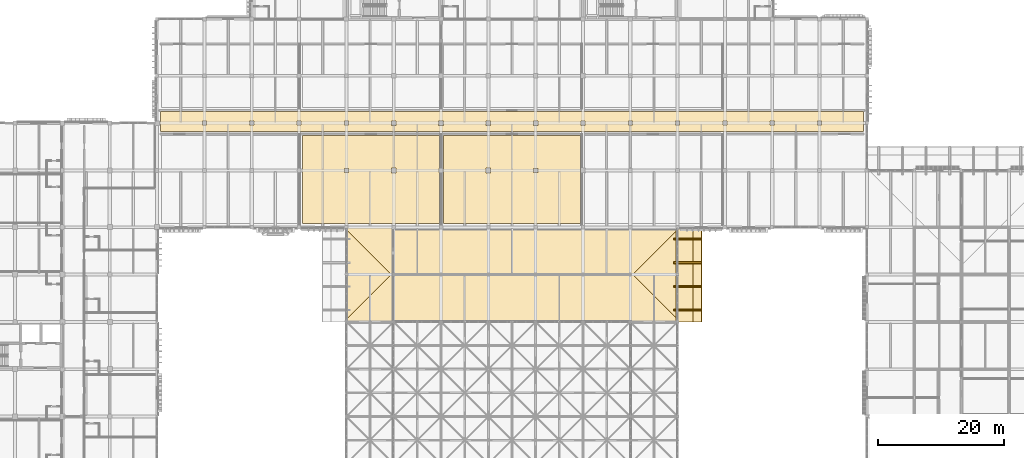
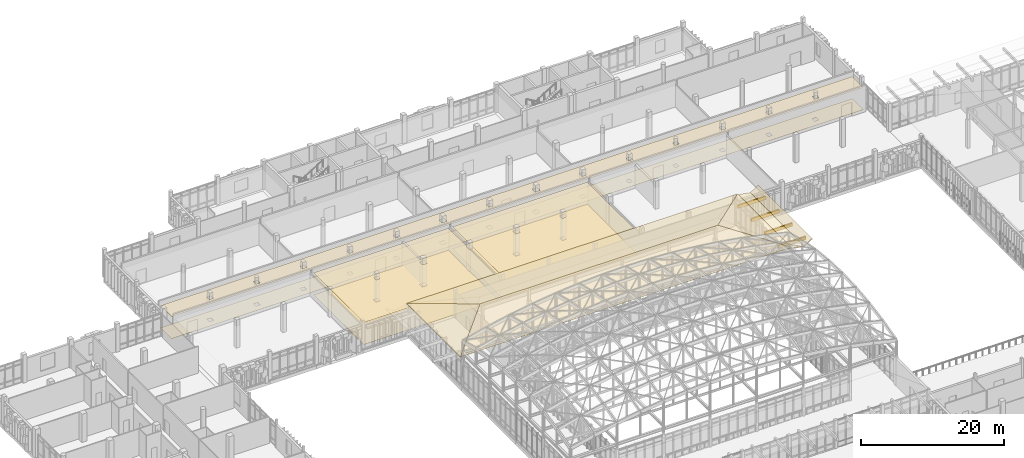
# One storey, part 122 of 131: 16 coverings.
"""IFC4 building model written with IfcOpenShell, lengths in metres."""

from ifc_helpers import new_model, si_unit, direction, frame, origin, origin_2d, place, context, subcontext, project, spatial, polyline, rectangle, outline, extrude, material, layer, layer_set, type_object, element, save


model = new_model("IFC4")

# Units and contexts
model_context = context("Model", 3, precision=1e-05, world=origin(), true_north=direction((0.0, 1.0)))
body_context = subcontext(model_context, "Body", "Model", "MODEL_VIEW")
ifc_project = project(units=[si_unit("LENGTHUNIT", "METRE"), si_unit("AREAUNIT", "SQUARE_METRE"), si_unit("VOLUMEUNIT", "CUBIC_METRE"), si_unit("PLANEANGLEUNIT", "RADIAN"), si_unit("MASSUNIT", "GRAM", prefix="KILO")], contexts=[model_context])

# Site, building, storey
site_placement = place(None, origin())
site = spatial("IfcSite", under=ifc_project, at=site_placement, CompositionType="ELEMENT")
building_placement = place(site_placement, origin())
building = spatial("IfcBuilding", under=site, at=building_placement, Name="Dalvernix Boulevard General Hospital", CompositionType="ELEMENT")
storey_placement = place(building_placement, frame((0.0, 0.0, 9.300048828125)))
storey = spatial("IfcBuildingStorey", under=building, at=storey_placement, Name="L02", CompositionType="ELEMENT", Elevation=9.300048828125)

# Coverings
ifc_material_1 = material(Name="Antimicrobial acoustic mineral-fibre suspended ceiling")
ifc_layer_1 = layer(ifc_material_1, 0.02490234375)
ifc_layer_set_1 = layer_set([ifc_layer_1], Name="Antimicrobial acoustic mineral-fibre suspended ceiling (COV-CEIL-01)")
covering_type_1 = type_object("IfcCoveringType", Name="COV-CEIL-01", PredefinedType="CEILING", material=ifc_layer_set_1)
covering_1_placement = place(storey_placement, frame((0.0, 0.0, 3.7548828125)))
element("IfcCovering", 1, at=covering_1_placement, inside=storey, type_object=covering_type_1, Name="L02 Sterile Surgical Preparation and Scrub Core hygienic suspended ceiling", PredefinedType="CEILING", context=body_context, shape_type="SweptSolid", body=[
    extrude(outline(polyline([(30.550048828125, 94.800048828125), (141.949951171875, 94.800048828125), (141.949951171875, 91.699951171875), (30.550048828125, 91.699951171875), (30.550048828125, 94.800048828125)]), holes=[polyline([(37.179931640625, 93.320068359375), (37.179931640625, 92.679931640625), (37.820068359375, 92.679931640625), (37.820068359375, 93.320068359375), (37.179931640625, 93.320068359375)]), polyline([(45.320068359375, 93.320068359375), (44.679931640625, 93.320068359375), (44.679931640625, 92.679931640625), (45.320068359375, 92.679931640625), (45.320068359375, 93.320068359375)]), polyline([(52.820068359375, 92.679931640625), (52.820068359375, 93.320068359375), (52.179931640625, 93.320068359375), (52.179931640625, 92.679931640625), (52.820068359375, 92.679931640625)]), polyline([(59.679931640625, 92.679931640625), (60.320068359375, 92.679931640625), (60.320068359375, 93.320068359375), (59.679931640625, 93.320068359375), (59.679931640625, 92.679931640625)]), polyline([(67.155029296875, 93.344970703125), (67.155029296875, 92.655029296875), (67.844970703125, 92.655029296875), (67.844970703125, 93.344970703125), (67.155029296875, 93.344970703125)]), polyline([(75.3701171875, 93.3701171875), (74.6298828125, 93.3701171875), (74.6298828125, 92.6298828125), (75.3701171875, 92.6298828125), (75.3701171875, 93.3701171875)]), polyline([(82.844970703125, 92.655029296875), (82.844970703125, 93.344970703125), (82.155029296875, 93.344970703125), (82.155029296875, 92.655029296875), (82.844970703125, 92.655029296875)]), polyline([(89.6298828125, 92.6298828125), (90.3701171875, 92.6298828125), (90.3701171875, 93.3701171875), (89.6298828125, 93.3701171875), (89.6298828125, 92.6298828125)]), polyline([(97.155029296875, 93.344970703125), (97.155029296875, 92.655029296875), (97.844970703125, 92.655029296875), (97.844970703125, 93.344970703125), (97.155029296875, 93.344970703125)]), polyline([(105.320068359375, 93.320068359375), (104.679931640625, 93.320068359375), (104.679931640625, 92.679931640625), (105.320068359375, 92.679931640625), (105.320068359375, 93.320068359375)]), polyline([(112.820068359375, 92.679931640625), (112.820068359375, 93.320068359375), (112.179931640625, 93.320068359375), (112.179931640625, 92.679931640625), (112.820068359375, 92.679931640625)]), polyline([(119.679931640625, 92.679931640625), (120.320068359375, 92.679931640625), (120.320068359375, 93.320068359375), (119.679931640625, 93.320068359375), (119.679931640625, 92.679931640625)]), polyline([(127.179931640625, 93.320068359375), (127.179931640625, 92.679931640625), (127.820068359375, 92.679931640625), (127.820068359375, 93.320068359375), (127.179931640625, 93.320068359375)]), polyline([(135.320068359375, 93.320068359375), (134.679931640625, 93.320068359375), (134.679931640625, 92.679931640625), (135.320068359375, 92.679931640625), (135.320068359375, 93.320068359375)])]), origin(), (0.0, 0.0, 1.0), 0.025146484375),
])
covering_2_placement = place(storey_placement, frame((0.0, 0.0, 3.7548828125)))
element("IfcCovering", 2, at=covering_2_placement, inside=storey, type_object=covering_type_1, Name="L02 Operating Theatre 07 hygienic suspended ceiling", PredefinedType="CEILING", context=body_context, shape_type="SweptSolid", body=[
    extrude(outline(polyline([(74.75, 91.050048828125), (74.75, 85.844970703125), (74.655029296875, 85.844970703125), (74.655029296875, 85.155029296875), (74.75, 85.155029296875), (74.75, 77.050048828125), (53.030029296875, 77.050048828125), (53.030029296875, 91.050048828125), (74.75, 91.050048828125)]), holes=[polyline([(59.679931640625, 85.179931640625), (60.320068359375, 85.179931640625), (60.320068359375, 85.820068359375), (59.679931640625, 85.820068359375), (59.679931640625, 85.179931640625)]), polyline([(67.1298828125, 85.8701171875), (67.1298828125, 85.1298828125), (67.8701171875, 85.1298828125), (67.8701171875, 85.8701171875), (67.1298828125, 85.8701171875)])]), origin(), (0.0, 0.0, 1.0), 0.025146484375),
])
covering_3_placement = place(storey_placement, frame((0.0, 0.0, 3.7548828125)))
element("IfcCovering", 3, at=covering_3_placement, inside=storey, type_object=covering_type_1, Name="L02 Operating Theatre 08 hygienic suspended ceiling", PredefinedType="CEILING", context=body_context, shape_type="SweptSolid", body=[
    extrude(outline(polyline([(97.110107421875, 91.050048828125), (97.110107421875, 77.050048828125), (75.389892578125, 77.050048828125), (75.389892578125, 91.050048828125), (97.110107421875, 91.050048828125)]), holes=[polyline([(82.1298828125, 85.1298828125), (82.8701171875, 85.1298828125), (82.8701171875, 85.8701171875), (82.1298828125, 85.8701171875), (82.1298828125, 85.1298828125)]), polyline([(89.655029296875, 85.844970703125), (89.655029296875, 85.155029296875), (90.344970703125, 85.155029296875), (90.344970703125, 85.844970703125), (89.655029296875, 85.844970703125)])]), origin(), (0.0, 0.0, 1.0), 0.025146484375),
])
ifc_material_2 = material(Name="Glazed Catalan terracotta and iroko timber overhanging upturned eave", Category="masonry")
ifc_layer_2 = layer(ifc_material_2, 0.139892578125)
ifc_layer_set_2 = layer_set([ifc_layer_2], Name="Glazed Catalan terracotta and iroko timber overhanging upturned eave (COV-EAVE-01)")
covering_type_2 = type_object("IfcCoveringType", Name="COV-EAVE-01", PredefinedType="CLADDING", material=ifc_layer_set_2)
covering_4_placement = place(storey_placement, frame((112.25, 61.5, 5.06005859375), z_axis=(0.185805173125, 0.0, 0.982586605669), x_axis=(0.0, 1.0, 0.0)))
element("IfcCovering", 4, at=covering_4_placement, inside=storey, type_object=covering_type_2, Name="V1N overhanging ceramic eave skirt E", PredefinedType="CLADDING", context=body_context, shape_type="SweptSolid", body=[
    extrude(outline(polyline([(0.0, 0.0), (15.0, 0.0), (15.0, -2.798735484621844), (0.0, -2.798735484621844), (0.0, 0.0)])), origin(), (0.0, 0.0, -1.0), 0.139892578125),
])
covering_5_placement = place(storey_placement, frame((114.919921875, 61.5, 4.5400390625), z_axis=(-0.542906093133, 0.0, 0.839793411524), x_axis=(0.0, 1.0, 0.0)))
element("IfcCovering", 5, at=covering_5_placement, inside=storey, type_object=covering_type_2, Name="V1N upturned ceramic eave wing E", PredefinedType="CLADDING", context=body_context, shape_type="SweptSolid", body=[
    extrude(outline(polyline([(0.0, 0.0), (15.0, 0.0), (15.0, -1.5838158608391104), (0.0, -1.5838158608391104), (0.0, 0.0)])), origin(), (0.0, 0.0, -1.0), 0.139892578125),
])
ifc_material_3 = material(Name="Seamless welded medical vinyl and polished terrazzo flooring")
ifc_layer_3 = layer(ifc_material_3, 0.014892578125)
ifc_layer_set_3 = layer_set([ifc_layer_3], Name="Seamless welded medical vinyl and polished terrazzo flooring (COV-FLR-01)")
covering_type_3 = type_object("IfcCoveringType", Name="COV-FLR-01", PredefinedType="FLOORING", material=ifc_layer_set_3)
covering_6_placement = place(storey_placement, origin())
element("IfcCovering", 6, at=covering_6_placement, inside=storey, type_object=covering_type_3, Name="L02 Sterile Surgical Preparation and Scrub Core seamless clinical flooring", PredefinedType="FLOORING", context=body_context, shape_type="SweptSolid", body=[
    extrude(outline(polyline([(30.550048828125, 94.800048828125), (141.949951171875, 94.800048828125), (141.949951171875, 91.699951171875), (30.550048828125, 91.699951171875), (30.550048828125, 94.800048828125)]), holes=[polyline([(37.179931640625, 93.320068359375), (37.179931640625, 92.679931640625), (37.820068359375, 92.679931640625), (37.820068359375, 93.320068359375), (37.179931640625, 93.320068359375)]), polyline([(45.320068359375, 93.320068359375), (44.679931640625, 93.320068359375), (44.679931640625, 92.679931640625), (45.320068359375, 92.679931640625), (45.320068359375, 93.320068359375)]), polyline([(52.820068359375, 92.679931640625), (52.820068359375, 93.320068359375), (52.179931640625, 93.320068359375), (52.179931640625, 92.679931640625), (52.820068359375, 92.679931640625)]), polyline([(59.679931640625, 92.679931640625), (60.320068359375, 92.679931640625), (60.320068359375, 93.320068359375), (59.679931640625, 93.320068359375), (59.679931640625, 92.679931640625)]), polyline([(67.155029296875, 93.344970703125), (67.155029296875, 92.655029296875), (67.844970703125, 92.655029296875), (67.844970703125, 93.344970703125), (67.155029296875, 93.344970703125)]), polyline([(75.3701171875, 93.3701171875), (74.6298828125, 93.3701171875), (74.6298828125, 92.6298828125), (75.3701171875, 92.6298828125), (75.3701171875, 93.3701171875)]), polyline([(82.844970703125, 92.655029296875), (82.844970703125, 93.344970703125), (82.155029296875, 93.344970703125), (82.155029296875, 92.655029296875), (82.844970703125, 92.655029296875)]), polyline([(89.6298828125, 92.6298828125), (90.3701171875, 92.6298828125), (90.3701171875, 93.3701171875), (89.6298828125, 93.3701171875), (89.6298828125, 92.6298828125)]), polyline([(97.155029296875, 93.344970703125), (97.155029296875, 92.655029296875), (97.844970703125, 92.655029296875), (97.844970703125, 93.344970703125), (97.155029296875, 93.344970703125)]), polyline([(105.320068359375, 93.320068359375), (104.679931640625, 93.320068359375), (104.679931640625, 92.679931640625), (105.320068359375, 92.679931640625), (105.320068359375, 93.320068359375)]), polyline([(112.820068359375, 92.679931640625), (112.820068359375, 93.320068359375), (112.179931640625, 93.320068359375), (112.179931640625, 92.679931640625), (112.820068359375, 92.679931640625)]), polyline([(119.679931640625, 92.679931640625), (120.320068359375, 92.679931640625), (120.320068359375, 93.320068359375), (119.679931640625, 93.320068359375), (119.679931640625, 92.679931640625)]), polyline([(127.179931640625, 93.320068359375), (127.179931640625, 92.679931640625), (127.820068359375, 92.679931640625), (127.820068359375, 93.320068359375), (127.179931640625, 93.320068359375)]), polyline([(135.320068359375, 93.320068359375), (134.679931640625, 93.320068359375), (134.679931640625, 92.679931640625), (135.320068359375, 92.679931640625), (135.320068359375, 93.320068359375)])]), origin(), (0.0, 0.0, 1.0), 0.014892578125),
])
covering_7_placement = place(storey_placement, origin())
element("IfcCovering", 7, at=covering_7_placement, inside=storey, type_object=covering_type_3, Name="L02 Operating Theatre 07 seamless clinical flooring", PredefinedType="FLOORING", context=body_context, shape_type="SweptSolid", body=[
    extrude(outline(polyline([(74.75, 91.050048828125), (74.75, 85.844970703125), (74.655029296875, 85.844970703125), (74.655029296875, 85.155029296875), (74.75, 85.155029296875), (74.75, 77.050048828125), (53.030029296875, 77.050048828125), (53.030029296875, 91.050048828125), (74.75, 91.050048828125)]), holes=[polyline([(59.679931640625, 85.179931640625), (60.320068359375, 85.179931640625), (60.320068359375, 85.820068359375), (59.679931640625, 85.820068359375), (59.679931640625, 85.179931640625)]), polyline([(67.1298828125, 85.8701171875), (67.1298828125, 85.1298828125), (67.8701171875, 85.1298828125), (67.8701171875, 85.8701171875), (67.1298828125, 85.8701171875)])]), origin(), (0.0, 0.0, 1.0), 0.014892578125),
])
covering_8_placement = place(storey_placement, origin())
element("IfcCovering", 8, at=covering_8_placement, inside=storey, type_object=covering_type_3, Name="L02 Operating Theatre 08 seamless clinical flooring", PredefinedType="FLOORING", context=body_context, shape_type="SweptSolid", body=[
    extrude(outline(polyline([(97.110107421875, 91.050048828125), (97.110107421875, 77.050048828125), (75.389892578125, 77.050048828125), (75.389892578125, 91.050048828125), (97.110107421875, 91.050048828125)]), holes=[polyline([(82.1298828125, 85.1298828125), (82.8701171875, 85.1298828125), (82.8701171875, 85.8701171875), (82.1298828125, 85.8701171875), (82.1298828125, 85.1298828125)]), polyline([(89.655029296875, 85.844970703125), (89.655029296875, 85.155029296875), (90.344970703125, 85.155029296875), (90.344970703125, 85.844970703125), (89.655029296875, 85.844970703125)])]), origin(), (0.0, 0.0, 1.0), 0.014892578125),
])
ifc_material_4 = material(Name="Preservative-treated glulam GL28h eave outlooker corbel bracket", Category="wood")
ifc_layer_4 = layer(ifc_material_4, 0.239990234375)
ifc_layer_set_4 = layer_set([ifc_layer_4], Name="Preservative-treated glulam GL28h eave outlooker corbel bracket (COV-OUTLOOK-01)")
covering_type_4 = type_object("IfcCoveringType", Name="COV-OUTLOOK-01", PredefinedType="CLADDING", material=ifc_layer_set_4)
for number, where, z_axis, x_axis, name in (
    (9, (114.074951171875, 63.375, 4.139892578125), (0.0, 0.0, 1.0), (1.0, 0.0, 0.0), "V1N glulam eave outlooker corbel E-1"),
    (10, (114.074951171875, 67.125, 4.139892578125), (0.0, 0.0, 1.0), (1.0, 0.0, 0.0), "V1N glulam eave outlooker corbel E-2"),
    (11, (114.074951171875, 70.875, 4.139892578125), (0.0, 0.0, 1.0), (1.0, 0.0, 0.0), "V1N glulam eave outlooker corbel E-3"),
    (12, (114.074951171875, 74.625, 4.139892578125), (0.0, 0.0, 1.0), (1.0, 0.0, 0.0), "V1N glulam eave outlooker corbel E-4"),
):
    element("IfcCovering", number, at=place(storey_placement, frame(where, z_axis=z_axis, x_axis=x_axis)), inside=storey, type_object=covering_type_4, Name=name, PredefinedType="CLADDING", context=body_context, shape_type="SweptSolid", body=[
        extrude(rectangle(XDim=4.449951171875, YDim=0.260009765625, at=origin_2d()), origin(), (0.0, 0.0, 1.0), 0.52001953125),
    ])
ifc_material_5 = material(Name="Polychrome Catalan glazed terracotta roof tiles", Category="masonry")
ifc_layer_5 = layer(ifc_material_5, 0.050048828125)
ifc_layer_set_5 = layer_set([ifc_layer_5], Name="Polychrome Catalan glazed terracotta roof tiles (COV-ROOF-01)")
covering_type_5 = type_object("IfcCoveringType", Name="COV-ROOF-01", PredefinedType="ROOFING", material=ifc_layer_set_5)
for number, where, z_axis, x_axis, name in (
    (13, (59.60009765625, 61.5, 5.070068359375), (0.0, -0.238516889494, 0.971138349272), (1.0, 0.0, 0.0), "V1N glazed terracotta tile slope S"),
    (14, (112.89990234375, 76.5, 5.070068359375), (0.0, 0.238516889494, 0.971138349272), (-1.0, 0.0, 0.0), "V1N glazed terracotta tile slope N"),
):
    element("IfcCovering", number, at=place(storey_placement, frame(where, z_axis=z_axis, x_axis=x_axis)), inside=storey, type_object=covering_type_5, Name=name, PredefinedType="ROOFING", context=body_context, shape_type="SweptSolid", body=[
        extrude(outline(polyline([(0.0, 0.0), (53.2998046875, 0.0), (45.7998046875, 7.72289551290478), (7.5, 7.72289551290478), (0.0, 0.0)])), origin(), (0.0, 0.0, -1.0), 0.050048828125),
    ])
for number, where, z_axis, x_axis, name in (
    (15, (59.60009765625, 76.5, 5.070068359375), (-0.238516889494, 0.0, 0.971138349272), (0.0, -1.0, 0.0), "V1N glazed terracotta tile slope W"),
    (16, (112.89990234375, 61.5, 5.070068359375), (0.238516889494, 0.0, 0.971138349272), (0.0, 1.0, 0.0), "V1N glazed terracotta tile slope E"),
):
    element("IfcCovering", number, at=place(storey_placement, frame(where, z_axis=z_axis, x_axis=x_axis)), inside=storey, type_object=covering_type_5, Name=name, PredefinedType="ROOFING", context=body_context, shape_type="SweptSolid", body=[
        extrude(outline(polyline([(0.0, 0.0), (15.0, 0.0), (7.5, 7.72289551290478), (0.0, 0.0)])), origin(), (0.0, 0.0, -1.0), 0.050048828125),
    ])

save(model, "model.ifc")
